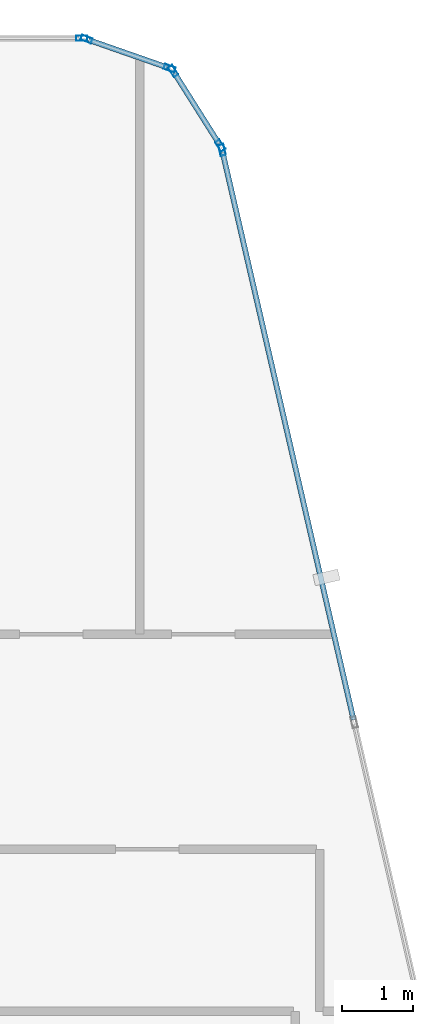
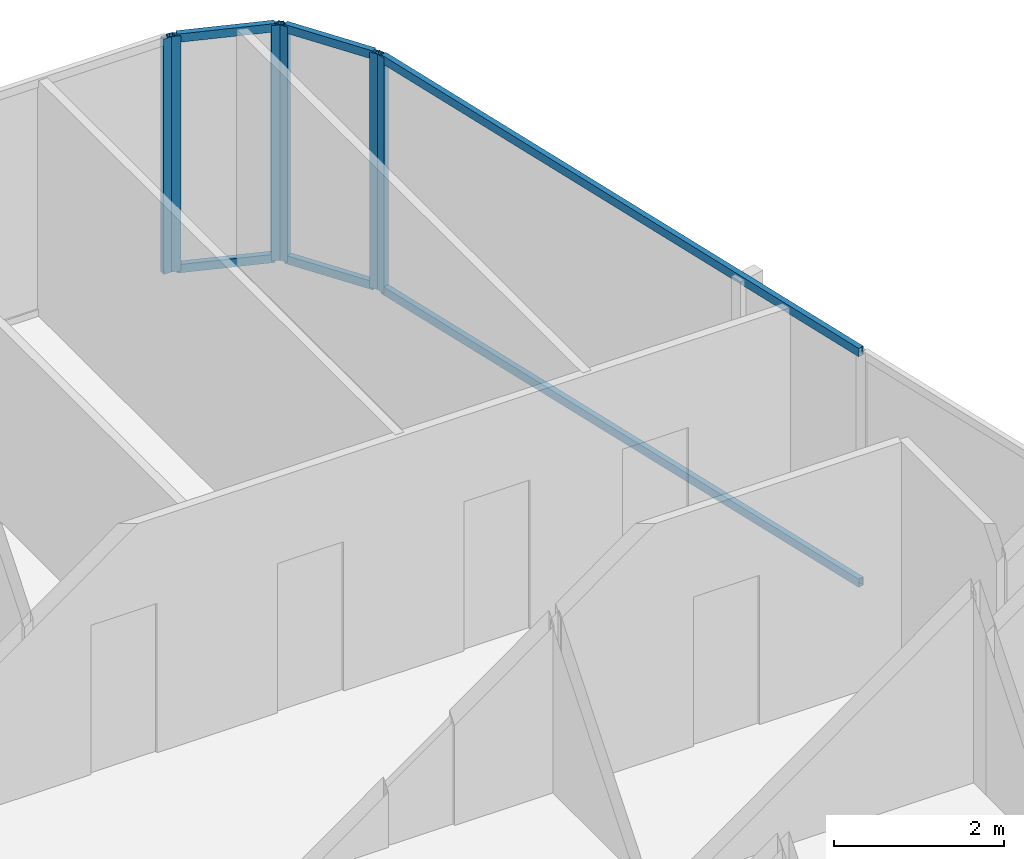
# One storey, part 21 of 29: 12 members, 4 elements without a shape of their own.
"""IFC4 building model written with IfcOpenShell, lengths in metres."""

from ifc_helpers import new_model, si_unit, direction, frame, origin, origin_2d, place, context, subcontext, project, spatial, hollow_rectangle, extrude, material, layer, layer_set, material_profile, profile_set, type_object, element, aggregate, save


model = new_model("IFC4")

# Units and contexts
model_context = context("Model", 3, precision=1e-05, world=origin(), true_north=direction((0.0, 1.0)))
body_context = subcontext(model_context, "Body", "Model", "MODEL_VIEW")
ifc_project = project(units=[si_unit("LENGTHUNIT", "METRE"), si_unit("AREAUNIT", "SQUARE_METRE"), si_unit("VOLUMEUNIT", "CUBIC_METRE"), si_unit("PLANEANGLEUNIT", "RADIAN"), si_unit("MASSUNIT", "GRAM", prefix="KILO")], contexts=[model_context])

# Site, building, storey
site_placement = place(None, origin())
site = spatial("IfcSite", under=ifc_project, at=site_placement, CompositionType="ELEMENT")
building_placement = place(site_placement, origin())
building = spatial("IfcBuilding", under=site, at=building_placement, Name="Keshet Zoharim Tower", CompositionType="ELEMENT")
storey_placement = place(building_placement, frame((0.0, 0.0, 226.5)))
storey = spatial("IfcBuildingStorey", under=building, at=storey_placement, Name="L56", CompositionType="ELEMENT", Elevation=226.5)

# Curtain wall, member
ifc_material = material(Name="Aluminium 6063-T6", Category="aluminium")
ifc_layer = layer(ifc_material, 0.139892578125)
ifc_layer_set = layer_set([ifc_layer], Name="Aluminium 6063-T6")
curtain_wall_type = type_object("IfcCurtainWallType", Name="CW-SYS-05", PredefinedType="NOTDEFINED", material=ifc_layer_set)
curtain_wall_1_placement = place(storey_placement, origin())
curtain_wall_1 = element("IfcCurtainWall", 1, at=curtain_wall_1_placement, inside=storey, type_object=curtain_wall_type, Name="L56 Unitised Curtain Wall 16 Part 3", PredefinedType="NOTDEFINED")
ifc_material_profile_1 = material_profile(ifc_material, hollow_rectangle(XDim=0.074951171875, YDim=0.159912109375, WallThickness=0.00390625, at=origin_2d()), Name="MUL-75x160")
ifc_profile_set_1 = profile_set([ifc_material_profile_1], Name="Aluminium 6063-T6")
member_type_1 = type_object("IfcMemberType", Name="CWM-M15", PredefinedType="MULLION", material=ifc_profile_set_1)
member_1_placement = place(storey_placement, frame((37.3740234375, 53.89990234375, 0.0), z_axis=(0.0, 0.0, 1.0), x_axis=(0.0, 1.0, 0.0)))
member_1 = element("IfcMember", 2, at=member_1_placement, type_object=member_type_1, Name="CW-05 mullion 3", PredefinedType="MULLION", context=body_context, shape_type="SweptSolid", body=[
    extrude(hollow_rectangle(XDim=0.074951171875, YDim=0.159912109375, WallThickness=0.00390625, at=origin_2d()), origin(), (0.0, 0.0, 1.0), 3.389892578125),
])
aggregate(curtain_wall_1, [member_1])

# Curtain wall, members
curtain_wall_2_placement = place(storey_placement, origin())
curtain_wall_2 = element("IfcCurtainWall", 3, at=curtain_wall_2_placement, inside=storey, type_object=curtain_wall_type, Name="L56 Unitised Curtain Wall 17", PredefinedType="NOTDEFINED")
member_2_placement = place(storey_placement, frame((37.442138671875, 53.888427734375, 0.0), z_axis=(0.0, 0.0, 1.0), x_axis=(0.329843743636, 0.944035542119, 0.0)))
member_2 = element("IfcMember", 4, at=member_2_placement, type_object=member_type_1, Name="CW-05 mullion 1", PredefinedType="MULLION", context=body_context, shape_type="SweptSolid", body=[
    extrude(hollow_rectangle(XDim=0.074951171875, YDim=0.159912109375, WallThickness=0.00390625, at=origin_2d()), origin(), (0.0, 0.0, 1.0), 3.389892578125),
])
member_3_placement = place(storey_placement, frame((38.620849609375, 53.4765625, 0.0), z_axis=(0.0, 0.0, 1.0), x_axis=(0.329843743636, 0.944035542119, 0.0)))
member_3 = element("IfcMember", 5, at=member_3_placement, type_object=member_type_1, Name="CW-05 mullion 2", PredefinedType="MULLION", context=body_context, shape_type="SweptSolid", body=[
    extrude(hollow_rectangle(XDim=0.074951171875, YDim=0.159912109375, WallThickness=0.00390625, at=origin_2d()), origin(), (0.0, 0.0, 1.0), 3.389892578125),
])

curtain_wall_3_placement = place(storey_placement, origin())
curtain_wall_3 = element("IfcCurtainWall", 6, at=curtain_wall_3_placement, inside=storey, type_object=curtain_wall_type, Name="L56 Unitised Curtain Wall 18", PredefinedType="NOTDEFINED")
member_4_placement = place(storey_placement, frame((38.672607421875, 53.435302734375, 0.0), z_axis=(0.0, 0.0, 1.0), x_axis=(0.845560976183, 0.533878858502, 0.0)))
member_4 = element("IfcMember", 7, at=member_4_placement, type_object=member_type_1, Name="CW-05 mullion 1", PredefinedType="MULLION", context=body_context, shape_type="SweptSolid", body=[
    extrude(hollow_rectangle(XDim=0.074951171875, YDim=0.159912109375, WallThickness=0.00390625, at=origin_2d()), origin(), (0.0, 0.0, 1.0), 3.389892578125),
])
member_5_placement = place(storey_placement, frame((39.33935546875, 52.379638671875, 0.0), z_axis=(0.0, 0.0, 1.0), x_axis=(0.845560976183, 0.533878858502, 0.0)))
member_5 = element("IfcMember", 8, at=member_5_placement, type_object=member_type_1, Name="CW-05 mullion 2", PredefinedType="MULLION", context=body_context, shape_type="SweptSolid", body=[
    extrude(hollow_rectangle(XDim=0.074951171875, YDim=0.159912109375, WallThickness=0.00390625, at=origin_2d()), origin(), (0.0, 0.0, 1.0), 3.389892578125),
])

# Curtain wall, member
curtain_wall_4_placement = place(storey_placement, origin())
curtain_wall_4 = element("IfcCurtainWall", 9, at=curtain_wall_4_placement, inside=storey, type_object=curtain_wall_type, Name="L56 Unitised Curtain Wall 19", PredefinedType="NOTDEFINED")
member_6_placement = place(storey_placement, frame((39.365966796875, 52.31591796875, 0.0), z_axis=(0.0, 0.0, 1.0), x_axis=(0.974393882313, 0.224847864369, 0.0)))
member_6 = element("IfcMember", 10, at=member_6_placement, type_object=member_type_1, Name="CW-05 mullion 1", PredefinedType="MULLION", context=body_context, shape_type="SweptSolid", body=[
    extrude(hollow_rectangle(XDim=0.074951171875, YDim=0.159912109375, WallThickness=0.00390625, at=origin_2d()), origin(), (0.0, 0.0, 1.0), 3.389892578125),
])

# Member
ifc_material_profile_2 = material_profile(ifc_material, hollow_rectangle(XDim=0.074951171875, YDim=0.1201171875, WallThickness=0.00390625, at=origin_2d()), Name="TRN-75x120")
ifc_profile_set_2 = profile_set([ifc_material_profile_2], Name="Aluminium 6063-T6")
member_type_2 = type_object("IfcMemberType", Name="CWT-T12", PredefinedType="USERDEFINED", material=ifc_profile_set_2)
member_7_placement = place(storey_placement, frame((37.47509765625, 53.876953125, 0.034912109375), z_axis=(0.944006789648, -0.329926023675, 0.0), x_axis=(0.329926023675, 0.944006789648, 0.0)))
member_7 = element("IfcMember", 11, at=member_7_placement, type_object=member_type_2, Name="CW-05 transom 1.1", ObjectType="TRANSOM", PredefinedType="USERDEFINED", context=body_context, shape_type="SweptSolid", body=[
    extrude(hollow_rectangle(XDim=0.074951171875, YDim=0.1201171875, WallThickness=0.00390625, at=origin_2d()), origin(), (0.0, 0.0, 1.0), 1.1787109375),
])

member_8_placement = place(storey_placement, frame((37.47509765625, 53.876953125, 3.35498046875), z_axis=(0.944006789648, -0.329926023675, 0.0), x_axis=(0.329926023675, 0.944006789648, 0.0)))
member_8 = element("IfcMember", 12, at=member_8_placement, type_object=member_type_2, Name="CW-05 transom 1.2", ObjectType="TRANSOM", PredefinedType="USERDEFINED", context=body_context, shape_type="SweptSolid", body=[
    extrude(hollow_rectangle(XDim=0.074951171875, YDim=0.1201171875, WallThickness=0.00390625, at=origin_2d()), origin(), (0.0, 0.0, 1.0), 1.1787109375),
])

aggregate(curtain_wall_2, [member_2, member_3, member_7, member_8])

member_9_placement = place(storey_placement, frame((38.69140625, 53.40576171875, 0.034912109375), z_axis=(0.53382931122, -0.845592257819, 0.0), x_axis=(0.845592257819, 0.53382931122, 0.0)))
member_9 = element("IfcMember", 13, at=member_9_placement, type_object=member_type_2, Name="CW-05 transom 1.1", ObjectType="TRANSOM", PredefinedType="USERDEFINED", context=body_context, shape_type="SweptSolid", body=[
    extrude(hollow_rectangle(XDim=0.074951171875, YDim=0.1201171875, WallThickness=0.00390625, at=origin_2d()), origin(), (0.0, 0.0, 1.0), 1.178466796875),
])

member_10_placement = place(storey_placement, frame((38.69140625, 53.40576171875, 3.35498046875), z_axis=(0.53382931122, -0.845592257819, 0.0), x_axis=(0.845592257819, 0.53382931122, 0.0)))
member_10 = element("IfcMember", 14, at=member_10_placement, type_object=member_type_2, Name="CW-05 transom 1.2", ObjectType="TRANSOM", PredefinedType="USERDEFINED", context=body_context, shape_type="SweptSolid", body=[
    extrude(hollow_rectangle(XDim=0.074951171875, YDim=0.1201171875, WallThickness=0.00390625, at=origin_2d()), origin(), (0.0, 0.0, 1.0), 1.178466796875),
])

aggregate(curtain_wall_3, [member_4, member_5, member_9, member_10])

member_11_placement = place(storey_placement, frame((39.373779296875, 52.28173828125, 0.034912109375), z_axis=(0.224835758738, -0.974396675688, 0.0), x_axis=(0.974396675688, 0.224835758738, 0.0)))
member_11 = element("IfcMember", 15, at=member_11_placement, type_object=member_type_2, Name="CW-05 transom 1.1", ObjectType="TRANSOM", PredefinedType="USERDEFINED", context=body_context, shape_type="SweptSolid", body=[
    extrude(hollow_rectangle(XDim=0.074951171875, YDim=0.1201171875, WallThickness=0.00390625, at=origin_2d()), origin(), (0.0, 0.0, 1.0), 8.259033203125),
])

member_12_placement = place(storey_placement, frame((39.373779296875, 52.28173828125, 3.35498046875), z_axis=(0.224835758738, -0.974396675688, 0.0), x_axis=(0.974396675688, 0.224835758738, 0.0)))
member_12 = element("IfcMember", 16, at=member_12_placement, type_object=member_type_2, Name="CW-05 transom 1.2", ObjectType="TRANSOM", PredefinedType="USERDEFINED", context=body_context, shape_type="SweptSolid", body=[
    extrude(hollow_rectangle(XDim=0.074951171875, YDim=0.1201171875, WallThickness=0.00390625, at=origin_2d()), origin(), (0.0, 0.0, 1.0), 8.259033203125),
])

aggregate(curtain_wall_4, [member_6, member_11, member_12])

save(model, "model.ifc")
